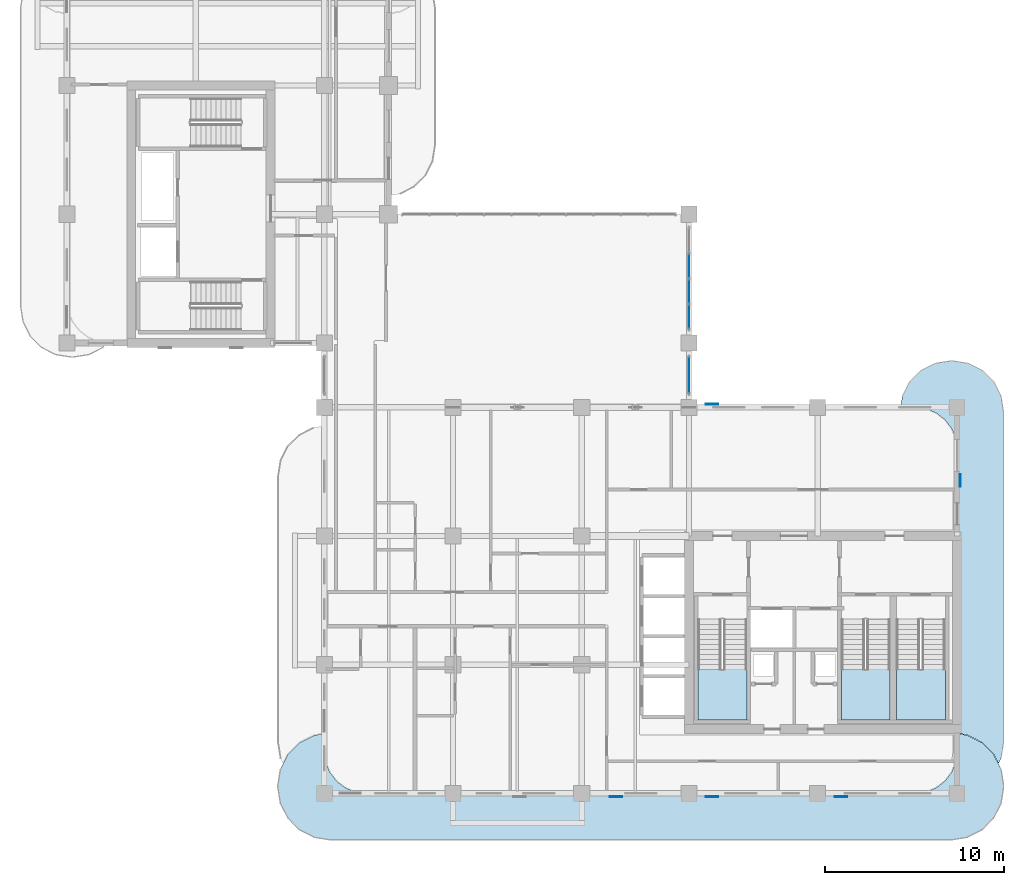
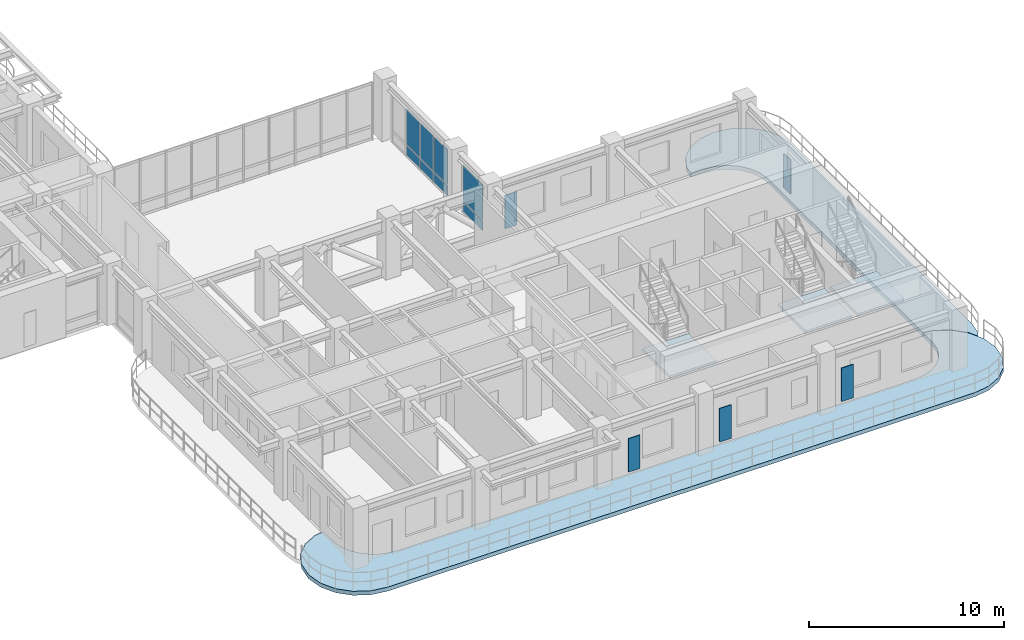
# One storey, part 8 of 19: 13 plates, 5 slabs, 5 elements without a shape of their own.
"""IFC4 building model written with IfcOpenShell, lengths in metres."""

from ifc_helpers import new_model, si_unit, derived_unit, direction, frame, origin, origin_2d, place, context, subcontext, project, spatial, polyline, rectangle, outline, extrude, source, transform, mapped, material, layer, layer_set, type_object, type_shapes, element, aggregate, save


model = new_model("IFC4")

# Units and contexts
model_context = context("Model", 3, precision=1e-05, world=origin(), true_north=direction((0.0, 1.0)))
body_context = subcontext(model_context, "Body", "Model", "MODEL_VIEW")
ifc_project = project(units=[si_unit("LENGTHUNIT", "METRE"), si_unit("AREAUNIT", "SQUARE_METRE"), si_unit("VOLUMEUNIT", "CUBIC_METRE"), si_unit("PLANEANGLEUNIT", "RADIAN"), si_unit("MASSUNIT", "GRAM", prefix="KILO"), si_unit("THERMODYNAMICTEMPERATUREUNIT", "KELVIN"), si_unit("POWERUNIT", "WATT"), derived_unit("THERMALTRANSMITTANCEUNIT", [(si_unit("POWERUNIT", "WATT"), 1), (si_unit("AREAUNIT", "SQUARE_METRE"), -1), (si_unit("THERMODYNAMICTEMPERATUREUNIT", "KELVIN"), -1)])], contexts=[model_context])

# Site, building, storey
site_placement = place(None, origin())
site = spatial("IfcSite", under=ifc_project, at=site_placement, CompositionType="ELEMENT")
building_placement = place(site_placement, origin())
building = spatial("IfcBuilding", under=site, at=building_placement, Name="Zahravan Archway Hotel and Residences", CompositionType="ELEMENT")
storey_placement = place(building_placement, frame((0.0, 0.0, 201.89990234375)))
storey = spatial("IfcBuildingStorey", under=building, at=storey_placement, Name="L50", CompositionType="ELEMENT", Elevation=201.89990234375)

# Slabs
ifc_material_1 = material(Name="Concrete C45/55", Category="concrete")
ifc_layer_1 = layer(ifc_material_1, 0.25, Name="Concrete C45/55", Category="concrete")
ifc_layer_set_1 = layer_set([ifc_layer_1], Name="Concrete C45/55")
slab_type_1 = type_object("IfcSlabType", Name="SLB-BALC-250", PredefinedType="FLOOR", material=ifc_layer_set_1)
slab_1_placement = place(storey_placement, frame((0.0, 0.0, -0.25)))
element("IfcSlab", 1, at=slab_1_placement, inside=storey, type_object=slab_type_1, Name="L50 Wing A South Rounded Balcony Band", PredefinedType="FLOOR", context=body_context, shape_type="SweptSolid", body=[
    extrude(outline(polyline([(50.361572265625, 3.255615234375), (51.18408203125, 2.836669921875), (51.836669921875, 2.18408203125), (52.255615234375, 1.361572265625), (52.39990234375, 0.449951171875), (52.39990234375, 0.35009765625), (52.255615234375, -0.5615234375), (51.836669921875, -1.384033203125), (51.18408203125, -2.03662109375), (50.361572265625, -2.45556640625), (49.449951171875, -2.60009765625), (14.75, -2.60009765625), (13.83837890625, -2.45556640625), (13.01611328125, -2.03662109375), (12.36328125, -1.384033203125), (11.9443359375, -0.5615234375), (11.800048828125, 0.35009765625), (11.800048828125, 0.449951171875), (11.9443359375, 1.361572265625), (12.36328125, 2.18408203125), (13.01611328125, 2.836669921875), (13.83837890625, 3.255615234375), (14.3798828125, 3.34130859375), (14.3798828125, 2.39990234375), (14.380126953125, 2.3974609375), (14.4619140625, 1.776123046875), (14.46240234375, 1.7744140625), (14.462646484375, 1.772705078125), (14.46337890625, 1.77099609375), (14.702880859375, 1.1923828125), (14.703857421875, 1.19091796875), (14.70458984375, 1.189208984375), (14.70556640625, 1.187744140625), (15.0869140625, 0.690673828125), (15.088134765625, 0.689453125), (15.08935546875, 0.688232421875), (15.0908203125, 0.68701171875), (15.587890625, 0.3056640625), (15.58935546875, 0.3046875), (15.5908203125, 0.3037109375), (15.59228515625, 0.302978515625), (16.171142578125, 0.063232421875), (16.1728515625, 0.062744140625), (16.174560546875, 0.062255859375), (16.17626953125, 0.06201171875), (16.79736328125, -0.019775390625), (16.800048828125, -0.02001953125), (47.39990234375, -0.02001953125), (47.402587890625, -0.019775390625), (48.023681640625, 0.06201171875), (48.025390625, 0.062255859375), (48.027099609375, 0.062744140625), (48.02880859375, 0.063232421875), (48.607666015625, 0.302978515625), (48.609130859375, 0.3037109375), (48.610595703125, 0.3046875), (48.6123046875, 0.3056640625), (49.109375, 0.68701171875), (49.110595703125, 0.688232421875), (49.11181640625, 0.689453125), (49.113037109375, 0.690673828125), (49.494384765625, 1.187744140625), (49.495361328125, 1.189208984375), (49.49609375, 1.19091796875), (49.4970703125, 1.1923828125), (49.73681640625, 1.77099609375), (49.7373046875, 1.772705078125), (49.73779296875, 1.7744140625), (49.738037109375, 1.776123046875), (49.81982421875, 2.3974609375), (49.820068359375, 2.39990234375), (49.820068359375, 3.34130859375), (50.361572265625, 3.255615234375)])), origin(), (0.0, 0.0, 1.0), 0.25),
])
slab_2_placement = place(storey_placement, frame((0.0, 0.0, -0.25)))
element("IfcSlab", 2, at=slab_2_placement, inside=storey, type_object=slab_type_1, Name="L50 Wing A East Rounded Balcony Band", PredefinedType="FLOOR", context=body_context, shape_type="SweptSolid", body=[
    extrude(outline(polyline([(46.739501953125, 22.230712890625), (47.144287109375, 23.025146484375), (47.77490234375, 23.65576171875), (48.5693359375, 24.060546875), (49.449951171875, 24.199951171875), (49.550048828125, 24.199951171875), (50.4306640625, 24.060546875), (51.22509765625, 23.65576171875), (51.855712890625, 23.025146484375), (52.260498046875, 22.230712890625), (52.39990234375, 21.35009765625), (52.39990234375, 2.85009765625), (52.260498046875, 1.96923828125), (52.114501953125, 1.6826171875), (51.8544921875, 2.193115234375), (51.853515625, 2.19482421875), (51.85205078125, 2.196533203125), (51.8505859375, 2.197998046875), (51.197998046875, 2.8505859375), (51.196533203125, 2.85205078125), (51.19482421875, 2.853515625), (51.193115234375, 2.8544921875), (50.37060546875, 3.2734375), (50.368896484375, 3.2744140625), (50.36669921875, 3.27490234375), (50.36474609375, 3.275390625), (49.822998046875, 3.361083984375), (49.8212890625, 3.361328125), (49.820068359375, 3.361328125), (49.820068359375, 19.199951171875), (49.81982421875, 19.20263671875), (49.738037109375, 19.82373046875), (49.73779296875, 19.825439453125), (49.7373046875, 19.8271484375), (49.73681640625, 19.828857421875), (49.4970703125, 20.40771484375), (49.49609375, 20.4091796875), (49.495361328125, 20.41064453125), (49.494384765625, 20.412109375), (49.113037109375, 20.9091796875), (49.11181640625, 20.91064453125), (49.110595703125, 20.911865234375), (49.109375, 20.9130859375), (48.6123046875, 21.29443359375), (48.610595703125, 21.29541015625), (48.609130859375, 21.296142578125), (48.607666015625, 21.297119140625), (48.02880859375, 21.53662109375), (48.027099609375, 21.537353515625), (48.025390625, 21.53759765625), (48.023681640625, 21.5380859375), (47.402587890625, 21.619873046875), (47.39990234375, 21.6201171875), (46.642822265625, 21.6201171875), (46.739501953125, 22.230712890625)])), origin(), (0.0, 0.0, 1.0), 0.25),
])

# Stair, slab
ifc_material_2 = material(Name="Concrete C50/60", Category="concrete")
stair_type = type_object("IfcStairType", Name="STR-CORE-1300", PredefinedType="HALF_TURN_STAIR", material=ifc_material_2)
stair_1_placement = place(storey_placement, origin())
stair_1 = element("IfcStair", 3, at=stair_1_placement, inside=storey, type_object=stair_type, Name="L50 Core A Exit Stair 1", PredefinedType="HALF_TURN_STAIR")
ifc_layer_2 = layer(ifc_material_2, 0.199951171875, Name="Concrete C50/60", Category="concrete")
ifc_layer_set_2 = layer_set([ifc_layer_2], Name="Concrete C50/60")
slab_type_2 = type_object("IfcSlabType", Name="SLB-LND-200", PredefinedType="LANDING", material=ifc_layer_set_2)
slab_3_placement = place(storey_placement, frame((0.0, 0.0, 1.72509765625)))
slab_3 = element("IfcSlab", 4, at=slab_3_placement, type_object=slab_type_2, Name="ST-A1 landing 1", PredefinedType="LANDING", context=body_context, shape_type="SweptSolid", body=[
    extrude(outline(polyline([(35.300048828125, 6.929931640625), (35.300048828125, 4.10009765625), (38.0400390625, 4.10009765625), (38.0400390625, 6.929931640625), (35.300048828125, 6.929931640625)])), origin(), (0.0, 0.0, 1.0), 0.199951171875),
])
aggregate(stair_1, [slab_3])

stair_2_placement = place(storey_placement, origin())
stair_2 = element("IfcStair", 5, at=stair_2_placement, inside=storey, type_object=stair_type, Name="L50 Core A Exit Stair 2", PredefinedType="HALF_TURN_STAIR")
slab_4_placement = place(storey_placement, frame((0.0, 0.0, 1.72509765625)))
slab_4 = element("IfcSlab", 6, at=slab_4_placement, type_object=slab_type_2, Name="ST-A2 landing 1", PredefinedType="LANDING", context=body_context, shape_type="SweptSolid", body=[
    extrude(outline(polyline([(43.320068359375, 6.929931640625), (43.320068359375, 4.10009765625), (46.06005859375, 4.10009765625), (46.06005859375, 6.929931640625), (43.320068359375, 6.929931640625)])), origin(), (0.0, 0.0, 1.0), 0.199951171875),
])
aggregate(stair_2, [slab_4])

stair_3_placement = place(storey_placement, origin())
stair_3 = element("IfcStair", 7, at=stair_3_placement, inside=storey, type_object=stair_type, Name="L50 Core A Exit Stair 3", PredefinedType="HALF_TURN_STAIR")
slab_5_placement = place(storey_placement, frame((0.0, 0.0, 1.72509765625)))
slab_5 = element("IfcSlab", 8, at=slab_5_placement, type_object=slab_type_2, Name="ST-A3 landing 1", PredefinedType="LANDING", context=body_context, shape_type="SweptSolid", body=[
    extrude(outline(polyline([(46.39990234375, 6.929931640625), (46.39990234375, 4.10009765625), (49.139892578125, 4.10009765625), (49.139892578125, 6.929931640625), (46.39990234375, 6.929931640625)])), origin(), (0.0, 0.0, 1.0), 0.199951171875),
])
aggregate(stair_3, [slab_5])

# Plates
ifc_material_3 = material(Name="Perforated Cast Bronze Jali Lattice")
ifc_layer_3 = layer(ifc_material_3, 0.044921875, Name="Perforated Cast Bronze Jali Lattice")
ifc_layer_set_3 = layer_set([ifc_layer_3], Name="Perforated Cast Bronze Jali Lattice")
plate_type_1 = type_object("IfcPlateType", Name="PLT-JALI-BAY", PredefinedType="USERDEFINED", material=ifc_layer_set_3)
shared_shape_1 = source(origin(), body_context, "Body", "SweptSolid", [
    extrude(rectangle(XDim=0.699951171875, YDim=0.044921875, at=origin_2d()), origin(), (0.0, 0.0, 1.0), 2.10009765625),
])
type_shapes(plate_type_1, [shared_shape_1])
for number, where, z_axis, x_axis, name in (
    (9, (30.7080078125, -0.177978515625, 0.25), (0.0, 0.0, 1.0), (1.0, 0.0, 0.0), "L50 Perforated Bronze Jali Pier Screen 02"),
    (10, (36.10009765625, -0.177978515625, 0.25), (0.0, 0.0, 1.0), (1.0, 0.0, 0.0), "L50 Perforated Bronze Jali Pier Screen 03"),
    (11, (43.300048828125, -0.177978515625, 0.25), (0.0, 0.0, 1.0), (1.0, 0.0, 0.0), "L50 Perforated Bronze Jali Pier Screen 04"),
    (12, (49.97802734375, 17.509033203125, 0.25), (0.0, 0.0, 1.0), (0.0, 1.0, 0.0), "L50 Perforated Bronze Jali Pier Screen 05"),
    (13, (36.10009765625, 21.778076171875, 0.25), (0.0, 0.0, 1.0), (1.0, 0.0, 0.0), "L50 Perforated Bronze Jali Pier Screen 06"),
):
    element("IfcPlate", number, at=place(storey_placement, frame(where, z_axis=z_axis, x_axis=x_axis)), inside=storey, type_object=plate_type_1, Name=name, ObjectType="SCREEN", PredefinedType="USERDEFINED", context=body_context, shape_type="MappedRepresentation", body=[
        mapped(shared_shape_1, transform((0.0, 0.0, 0.0), scale=1.0)),
    ])

# Curtain wall, plates
ifc_material_4 = material(Name="Bronze-Anodized Unitised Aluminium & Low-E Glass", Category="aluminium")
ifc_layer_4 = layer(ifc_material_4, 0.179931640625, Name="Bronze-Anodized Unitised Aluminium & Low-E Glass", Category="aluminium")
ifc_layer_set_4 = layer_set([ifc_layer_4], Name="Bronze-Anodized Unitised Aluminium & Low-E Glass")
curtain_wall_type = type_object("IfcCurtainWallType", Name="CW-SBG-2", PredefinedType="NOTDEFINED", material=ifc_layer_set_4)
curtain_wall_1_placement = place(storey_placement, origin())
curtain_wall_1 = element("IfcCurtainWall", 14, at=curtain_wall_1_placement, inside=storey, type_object=curtain_wall_type, Name="L50 Curtain Wall CW-L50-HNG-E-1", PredefinedType="NOTDEFINED")
ifc_material_5 = material(Name="Insulated Terracotta Spandrel Panel", Category="masonry")
ifc_layer_5 = layer(ifc_material_5, 0.0400390625, Name="Insulated Terracotta Spandrel Panel", Category="masonry")
ifc_layer_set_5 = layer_set([ifc_layer_5], Name="Insulated Terracotta Spandrel Panel")
plate_type_2 = type_object("IfcPlateType", Name="CWP-SPN-40", PredefinedType="SHEET", material=ifc_layer_set_5)
shared_shape_2 = source(origin(), body_context, "Body", "SweptSolid", [
    extrude(rectangle(XDim=2.0, YDim=0.0400390625, at=origin_2d()), origin(), (0.0, 0.0, 1.0), 0.600341796875),
])
plate_1_placement = place(storey_placement, frame((34.800048828125, 23.39990234375, 0.10009765625), z_axis=(0.0, 0.0, 1.0), x_axis=(0.0, 1.0, 0.0)))
plate_1 = element("IfcPlate", 15, at=plate_1_placement, type_object=plate_type_2, Name="CW-L50-HNG-E-1 Spandrel Panel 0", PredefinedType="SHEET", context=body_context, shape_type="MappedRepresentation", body=[
    mapped(shared_shape_2, transform((0.0, 0.0, 0.0), scale=1.0)),
])
ifc_material_6 = material(Name="Double-Silver Low-E Insulated Vision Glass", Category="glass")
ifc_layer_6 = layer(ifc_material_6, 0.028076171875, Name="Double-Silver Low-E Insulated Vision Glass", Category="glass")
ifc_layer_set_6 = layer_set([ifc_layer_6], Name="Double-Silver Low-E Insulated Vision Glass")
plate_type_3 = type_object("IfcPlateType", Name="CWP-GLZ-28", PredefinedType="CURTAIN_PANEL", material=ifc_layer_set_6)
shared_shape_3 = source(origin(), body_context, "Body", "SweptSolid", [
    extrude(rectangle(XDim=2.0, YDim=0.028076171875, at=origin_2d()), origin(), (0.0, 0.0, 1.0), 2.20458984375),
])
plate_2_placement = place(storey_placement, frame((34.800048828125, 23.39990234375, 0.780517578125), z_axis=(0.0, 0.0, 1.0), x_axis=(0.0, 1.0, 0.0)))
plate_2 = element("IfcPlate", 16, at=plate_2_placement, type_object=plate_type_3, Name="CW-L50-HNG-E-1 Low-E Vision Panel 0", PredefinedType="CURTAIN_PANEL", context=body_context, shape_type="MappedRepresentation", body=[
    mapped(shared_shape_3, transform((0.0, 0.0, 0.0), scale=1.0)),
])
aggregate(curtain_wall_1, [plate_1, plate_2])

curtain_wall_2_placement = place(storey_placement, origin())
curtain_wall_2 = element("IfcCurtainWall", 17, at=curtain_wall_2_placement, inside=storey, type_object=curtain_wall_type, Name="L50 Curtain Wall CW-L50-HNG-E-2", PredefinedType="NOTDEFINED")
shared_shape_4 = source(origin(), body_context, "Body", "SweptSolid", [
    extrude(rectangle(XDim=1.340087890625, YDim=0.0400390625, at=origin_2d()), origin(), (0.0, 0.0, 1.0), 0.600341796875),
])
plate_3_placement = place(storey_placement, frame((34.800048828125, 26.669921875, 0.10009765625), z_axis=(0.0, 0.0, 1.0), x_axis=(0.0, 1.0, 0.0)))
plate_3 = element("IfcPlate", 18, at=plate_3_placement, type_object=plate_type_2, Name="CW-L50-HNG-E-2 Spandrel Panel 0", PredefinedType="SHEET", context=body_context, shape_type="MappedRepresentation", body=[
    mapped(shared_shape_4, transform((0.0, 0.0, 0.0), scale=1.0)),
])
plate_4_placement = place(storey_placement, frame((34.800048828125, 28.090087890625, 0.10009765625), z_axis=(0.0, 0.0, 1.0), x_axis=(0.0, 1.0, 0.0)))
plate_4 = element("IfcPlate", 19, at=plate_4_placement, type_object=plate_type_2, Name="CW-L50-HNG-E-2 Spandrel Panel 1", PredefinedType="SHEET", context=body_context, shape_type="MappedRepresentation", body=[
    mapped(shared_shape_4, transform((0.0, 0.0, 0.0), scale=1.0)),
])
plate_5_placement = place(storey_placement, frame((34.800048828125, 29.510009765625, 0.10009765625), z_axis=(0.0, 0.0, 1.0), x_axis=(0.0, 1.0, 0.0)))
plate_5 = element("IfcPlate", 20, at=plate_5_placement, type_object=plate_type_2, Name="CW-L50-HNG-E-2 Spandrel Panel 2", PredefinedType="SHEET", context=body_context, shape_type="MappedRepresentation", body=[
    mapped(shared_shape_4, transform((0.0, 0.0, 0.0), scale=1.0)),
])
shared_shape_5 = source(origin(), body_context, "Body", "SweptSolid", [
    extrude(rectangle(XDim=1.340087890625, YDim=0.028076171875, at=origin_2d()), origin(), (0.0, 0.0, 1.0), 2.20458984375),
])
plate_6_placement = place(storey_placement, frame((34.800048828125, 26.669921875, 0.780517578125), z_axis=(0.0, 0.0, 1.0), x_axis=(0.0, 1.0, 0.0)))
plate_6 = element("IfcPlate", 21, at=plate_6_placement, type_object=plate_type_3, Name="CW-L50-HNG-E-2 Low-E Vision Panel 0", PredefinedType="CURTAIN_PANEL", context=body_context, shape_type="MappedRepresentation", body=[
    mapped(shared_shape_5, transform((0.0, 0.0, 0.0), scale=1.0)),
])
plate_7_placement = place(storey_placement, frame((34.800048828125, 28.090087890625, 0.780517578125), z_axis=(0.0, 0.0, 1.0), x_axis=(0.0, 1.0, 0.0)))
plate_7 = element("IfcPlate", 22, at=plate_7_placement, type_object=plate_type_3, Name="CW-L50-HNG-E-2 Low-E Vision Panel 1", PredefinedType="CURTAIN_PANEL", context=body_context, shape_type="MappedRepresentation", body=[
    mapped(shared_shape_5, transform((0.0, 0.0, 0.0), scale=1.0)),
])
plate_8_placement = place(storey_placement, frame((34.800048828125, 29.510009765625, 0.780517578125), z_axis=(0.0, 0.0, 1.0), x_axis=(0.0, 1.0, 0.0)))
plate_8 = element("IfcPlate", 23, at=plate_8_placement, type_object=plate_type_3, Name="CW-L50-HNG-E-2 Low-E Vision Panel 2", PredefinedType="CURTAIN_PANEL", context=body_context, shape_type="MappedRepresentation", body=[
    mapped(shared_shape_5, transform((0.0, 0.0, 0.0), scale=1.0)),
])
aggregate(curtain_wall_2, [plate_3, plate_6, plate_4, plate_7, plate_5, plate_8])

save(model, "model.ifc")
